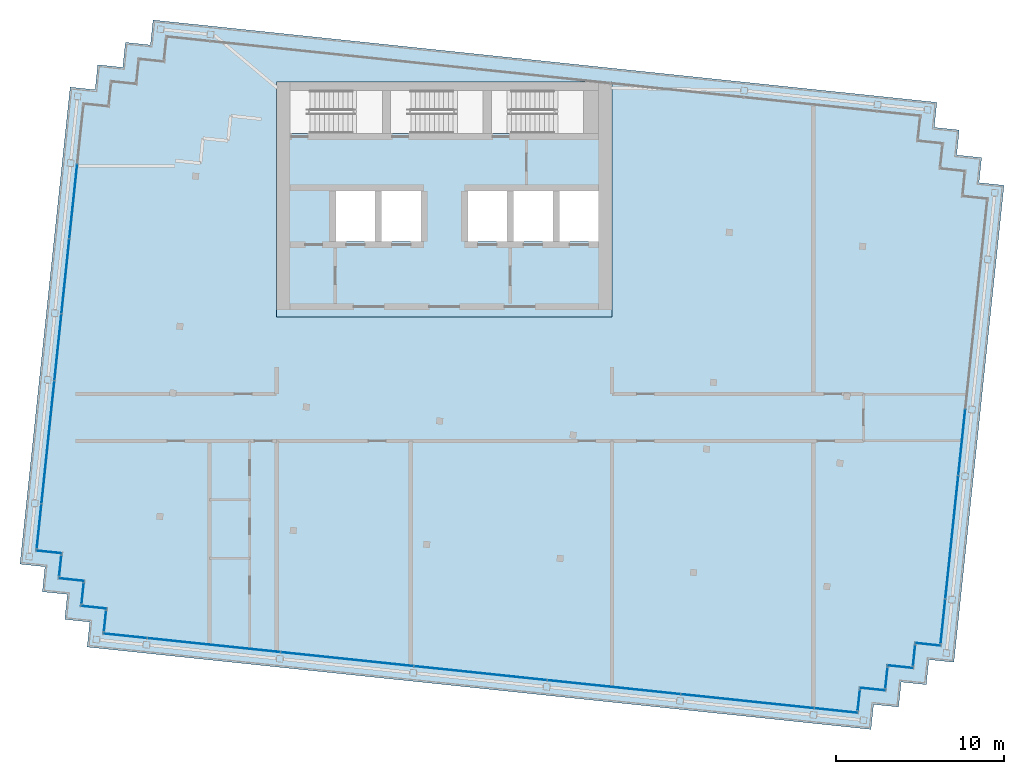
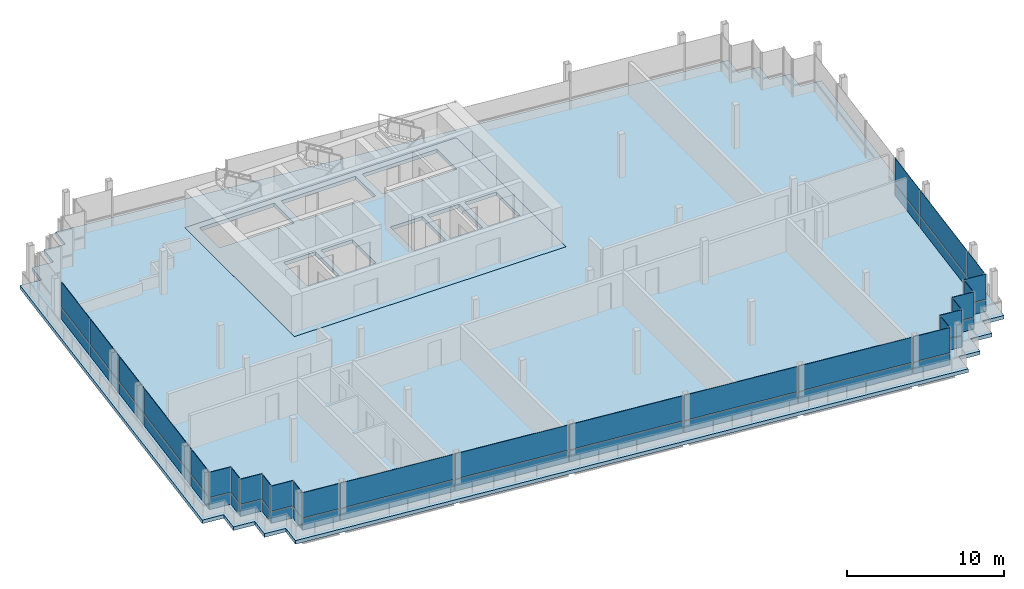
# One storey, part 9 of 15: 54 plates, 2 slabs, 15 elements without a shape of their own.
"""IFC4 building model written with IfcOpenShell, lengths in metres."""

from ifc_helpers import new_model, si_unit, direction, frame, origin, origin_2d, place, context, subcontext, project, spatial, polyline, rectangle, outline, extrude, material, layer, layer_set, type_object, element, aggregate, save


model = new_model("IFC4")

# Units and contexts
model_context = context("Model", 3, precision=1e-05, world=origin(), true_north=direction((0.0, 1.0)))
body_context = subcontext(model_context, "Body", "Model", "MODEL_VIEW")
ifc_project = project(units=[si_unit("LENGTHUNIT", "METRE"), si_unit("AREAUNIT", "SQUARE_METRE"), si_unit("VOLUMEUNIT", "CUBIC_METRE"), si_unit("PLANEANGLEUNIT", "RADIAN"), si_unit("MASSUNIT", "GRAM", prefix="KILO")], contexts=[model_context])

# Site, building, storey
site_placement = place(None, origin())
site = spatial("IfcSite", under=ifc_project, at=site_placement, CompositionType="ELEMENT")
building_placement = place(site_placement, origin())
building = spatial("IfcBuilding", under=site, at=building_placement, Name="Vidyagriha Tower", CompositionType="ELEMENT")
storey_placement = place(building_placement, frame((0.0, 0.0, 298.300048828125)))
storey = spatial("IfcBuildingStorey", under=building, at=storey_placement, Name="L77", CompositionType="ELEMENT", Elevation=298.300048828125)

# Curtain wall, plates
ifc_material_1 = material(Name="Aluminium and glass curtain wall", Category="aluminium")
curtain_wall_type = type_object("IfcCurtainWallType", Name="Lantern glazing wall", PredefinedType="USERDEFINED", material=ifc_material_1)
curtain_wall_1_placement = place(storey_placement, origin())
curtain_wall_1 = element("IfcCurtainWall", 1, at=curtain_wall_1_placement, inside=storey, type_object=curtain_wall_type, Name="CW4 lantern glazing", ObjectType="STICK GLAZING", PredefinedType="USERDEFINED")
ifc_material_2 = material(Name="Glass clear low-iron", Category="glass")
ifc_layer_1 = layer(ifc_material_2, 0.031982421875)
ifc_layer_set_1 = layer_set([ifc_layer_1], Name="Glass clear low-iron")
plate_type = type_object("IfcPlateType", Name="Clear lantern glass panel", PredefinedType="CURTAIN_PANEL", material=ifc_layer_set_1)
plate_1_placement = place(storey_placement, frame((-22.12744140625, 12.894287109375, 0.0), z_axis=(0.0, 0.0, 1.0), x_axis=(-0.104527289697, -0.994522018715, 0.0)))
plate_1 = element("IfcPlate", 2, at=plate_1_placement, type_object=plate_type, Name="CW4 panel 2.1", PredefinedType="CURTAIN_PANEL", context=body_context, shape_type="SweptSolid", body=[
    extrude(rectangle(XDim=4.440185546875, YDim=0.031982421875, at=origin_2d()), origin(), (0.0, 0.0, 1.0), 0.860107421875),
])
plate_2_placement = place(storey_placement, frame((-22.12744140625, 12.894287109375, 0.93994140625), z_axis=(0.0, 0.0, 1.0), x_axis=(-0.104527289697, -0.994522018715, 0.0)))
plate_2 = element("IfcPlate", 3, at=plate_2_placement, type_object=plate_type, Name="CW4 panel 2.2", PredefinedType="CURTAIN_PANEL", context=body_context, shape_type="SweptSolid", body=[
    extrude(rectangle(XDim=4.440185546875, YDim=0.031982421875, at=origin_2d()), origin(), (0.0, 0.0, 1.0), 1.9599609375),
])
plate_3_placement = place(storey_placement, frame((-22.597900390625, 8.4189453125, 0.0), z_axis=(0.0, 0.0, 1.0), x_axis=(-0.104527289697, -0.994522018715, 0.0)))
plate_3 = element("IfcPlate", 4, at=plate_3_placement, type_object=plate_type, Name="CW4 panel 3.1", PredefinedType="CURTAIN_PANEL", context=body_context, shape_type="SweptSolid", body=[
    extrude(rectangle(XDim=4.43994140625, YDim=0.031982421875, at=origin_2d()), origin(), (0.0, 0.0, 1.0), 0.860107421875),
])
plate_4_placement = place(storey_placement, frame((-22.597900390625, 8.4189453125, 0.93994140625), z_axis=(0.0, 0.0, 1.0), x_axis=(-0.104527289697, -0.994522018715, 0.0)))
plate_4 = element("IfcPlate", 5, at=plate_4_placement, type_object=plate_type, Name="CW4 panel 3.2", PredefinedType="CURTAIN_PANEL", context=body_context, shape_type="SweptSolid", body=[
    extrude(rectangle(XDim=4.43994140625, YDim=0.031982421875, at=origin_2d()), origin(), (0.0, 0.0, 1.0), 1.9599609375),
])
plate_5_placement = place(storey_placement, frame((-23.0419921875, 4.192138671875, 0.0), z_axis=(0.0, 0.0, 1.0), x_axis=(-0.104527289697, -0.994522018715, 0.0)))
plate_5 = element("IfcPlate", 6, at=plate_5_placement, type_object=plate_type, Name="CW4 panel 4.1", PredefinedType="CURTAIN_PANEL", context=body_context, shape_type="SweptSolid", body=[
    extrude(rectangle(XDim=3.93994140625, YDim=0.031982421875, at=origin_2d()), origin(), (0.0, 0.0, 1.0), 0.860107421875),
])
plate_6_placement = place(storey_placement, frame((-23.0419921875, 4.192138671875, 0.93994140625), z_axis=(0.0, 0.0, 1.0), x_axis=(-0.104527289697, -0.994522018715, 0.0)))
plate_6 = element("IfcPlate", 7, at=plate_6_placement, type_object=plate_type, Name="CW4 panel 4.2", PredefinedType="CURTAIN_PANEL", context=body_context, shape_type="SweptSolid", body=[
    extrude(rectangle(XDim=3.93994140625, YDim=0.031982421875, at=origin_2d()), origin(), (0.0, 0.0, 1.0), 1.9599609375),
])
plate_7_placement = place(storey_placement, frame((-23.637939453125, -1.4765625, 0.0), z_axis=(0.0, 0.0, 1.0), x_axis=(-0.104527289697, -0.994522018715, 0.0)))
plate_7 = element("IfcPlate", 8, at=plate_7_placement, type_object=plate_type, Name="CW4 panel 5.1", PredefinedType="CURTAIN_PANEL", context=body_context, shape_type="SweptSolid", body=[
    extrude(rectangle(XDim=7.340087890625, YDim=0.031982421875, at=origin_2d()), origin(), (0.0, 0.0, 1.0), 0.860107421875),
])
plate_8_placement = place(storey_placement, frame((-23.637939453125, -1.4765625, 0.93994140625), z_axis=(0.0, 0.0, 1.0), x_axis=(-0.104527289697, -0.994522018715, 0.0)))
plate_8 = element("IfcPlate", 9, at=plate_8_placement, type_object=plate_type, Name="CW4 panel 5.2", PredefinedType="CURTAIN_PANEL", context=body_context, shape_type="SweptSolid", body=[
    extrude(rectangle(XDim=7.340087890625, YDim=0.031982421875, at=origin_2d()), origin(), (0.0, 0.0, 1.0), 1.9599609375),
])
plate_9_placement = place(storey_placement, frame((-24.165283203125, -6.493896484375, 0.0), z_axis=(0.0, 0.0, 1.0), x_axis=(-0.104527289697, -0.994522018715, 0.0)))
plate_9 = element("IfcPlate", 10, at=plate_9_placement, type_object=plate_type, Name="CW4 panel 6.1", PredefinedType="CURTAIN_PANEL", context=body_context, shape_type="SweptSolid", body=[
    extrude(rectangle(XDim=2.6298828125, YDim=0.031982421875, at=origin_2d()), origin(), (0.0, 0.0, 1.0), 0.860107421875),
])
plate_10_placement = place(storey_placement, frame((-24.165283203125, -6.493896484375, 0.93994140625), z_axis=(0.0, 0.0, 1.0), x_axis=(-0.104527289697, -0.994522018715, 0.0)))
plate_10 = element("IfcPlate", 11, at=plate_10_placement, type_object=plate_type, Name="CW4 panel 6.2", PredefinedType="CURTAIN_PANEL", context=body_context, shape_type="SweptSolid", body=[
    extrude(rectangle(XDim=2.6298828125, YDim=0.031982421875, at=origin_2d()), origin(), (0.0, 0.0, 1.0), 1.9599609375),
])
aggregate(curtain_wall_1, [plate_1, plate_2, plate_3, plate_4, plate_5, plate_6, plate_7, plate_8, plate_9, plate_10])

curtain_wall_2_placement = place(storey_placement, origin())
curtain_wall_2 = element("IfcCurtainWall", 12, at=curtain_wall_2_placement, inside=storey, type_object=curtain_wall_type, Name="CW4 lantern glazing", ObjectType="STICK GLAZING", PredefinedType="USERDEFINED")
plate_11_placement = place(storey_placement, frame((-23.5712890625, -8.019287109375, 0.0), z_axis=(0.0, 0.0, 1.0), x_axis=(0.994522933756, -0.104518583201, 0.0)))
plate_11 = element("IfcPlate", 13, at=plate_11_placement, type_object=plate_type, Name="CW4 panel 1.1", PredefinedType="CURTAIN_PANEL", context=body_context, shape_type="SweptSolid", body=[
    extrude(rectangle(XDim=1.5400390625, YDim=0.031982421875, at=origin_2d()), origin(), (0.0, 0.0, 1.0), 0.860107421875),
])
plate_12_placement = place(storey_placement, frame((-23.5712890625, -8.019287109375, 0.93994140625), z_axis=(0.0, 0.0, 1.0), x_axis=(0.994522933756, -0.104518583201, 0.0)))
plate_12 = element("IfcPlate", 14, at=plate_12_placement, type_object=plate_type, Name="CW4 panel 1.2", PredefinedType="CURTAIN_PANEL", context=body_context, shape_type="SweptSolid", body=[
    extrude(rectangle(XDim=1.5400390625, YDim=0.031982421875, at=origin_2d()), origin(), (0.0, 0.0, 1.0), 1.9599609375),
])
aggregate(curtain_wall_2, [plate_11, plate_12])

curtain_wall_3_placement = place(storey_placement, origin())
curtain_wall_3 = element("IfcCurtainWall", 15, at=curtain_wall_3_placement, inside=storey, type_object=curtain_wall_type, Name="CW4 lantern glazing", ObjectType="STICK GLAZING", PredefinedType="USERDEFINED")
plate_13_placement = place(storey_placement, frame((-22.90380859375, -8.843505859375, 0.0), z_axis=(0.0, 0.0, 1.0), x_axis=(-0.104556583677, -0.994518939392, 0.0)))
plate_13 = element("IfcPlate", 16, at=plate_13_placement, type_object=plate_type, Name="CW4 panel 1.1", PredefinedType="CURTAIN_PANEL", context=body_context, shape_type="SweptSolid", body=[
    extrude(rectangle(XDim=1.219970703125, YDim=0.031982421875, at=origin_2d()), origin(), (0.0, 0.0, 1.0), 0.860107421875),
])
plate_14_placement = place(storey_placement, frame((-22.90380859375, -8.843505859375, 0.93994140625), z_axis=(0.0, 0.0, 1.0), x_axis=(-0.104556583677, -0.994518939392, 0.0)))
plate_14 = element("IfcPlate", 17, at=plate_14_placement, type_object=plate_type, Name="CW4 panel 1.2", PredefinedType="CURTAIN_PANEL", context=body_context, shape_type="SweptSolid", body=[
    extrude(rectangle(XDim=1.219970703125, YDim=0.031982421875, at=origin_2d()), origin(), (0.0, 0.0, 1.0), 1.9599609375),
])
aggregate(curtain_wall_3, [plate_13, plate_14])

curtain_wall_4_placement = place(storey_placement, origin())
curtain_wall_4 = element("IfcCurtainWall", 18, at=curtain_wall_4_placement, inside=storey, type_object=curtain_wall_type, Name="CW4 lantern glazing", ObjectType="STICK GLAZING", PredefinedType="USERDEFINED")
plate_15_placement = place(storey_placement, frame((-22.236572265625, -9.667724609375, 0.0), z_axis=(0.0, 0.0, 1.0), x_axis=(0.994529193856, -0.104458999463, 0.0)))
plate_15 = element("IfcPlate", 19, at=plate_15_placement, type_object=plate_type, Name="CW4 panel 1.1", PredefinedType="CURTAIN_PANEL", context=body_context, shape_type="SweptSolid", body=[
    extrude(rectangle(XDim=1.5400390625, YDim=0.031982421875, at=origin_2d()), origin(), (0.0, 0.0, 1.0), 0.860107421875),
])
plate_16_placement = place(storey_placement, frame((-22.236572265625, -9.667724609375, 0.93994140625), z_axis=(0.0, 0.0, 1.0), x_axis=(0.994529193856, -0.104458999463, 0.0)))
plate_16 = element("IfcPlate", 20, at=plate_16_placement, type_object=plate_type, Name="CW4 panel 1.2", PredefinedType="CURTAIN_PANEL", context=body_context, shape_type="SweptSolid", body=[
    extrude(rectangle(XDim=1.5400390625, YDim=0.031982421875, at=origin_2d()), origin(), (0.0, 0.0, 1.0), 1.9599609375),
])
aggregate(curtain_wall_4, [plate_15, plate_16])

curtain_wall_5_placement = place(storey_placement, origin())
curtain_wall_5 = element("IfcCurtainWall", 21, at=curtain_wall_5_placement, inside=storey, type_object=curtain_wall_type, Name="CW4 lantern glazing", ObjectType="STICK GLAZING", PredefinedType="USERDEFINED")
plate_17_placement = place(storey_placement, frame((-21.569091796875, -10.4921875, 0.0), z_axis=(0.0, 0.0, 1.0), x_axis=(-0.104548823962, -0.994519755162, 0.0)))
plate_17 = element("IfcPlate", 22, at=plate_17_placement, type_object=plate_type, Name="CW4 panel 1.1", PredefinedType="CURTAIN_PANEL", context=body_context, shape_type="SweptSolid", body=[
    extrude(rectangle(XDim=1.219970703125, YDim=0.031982421875, at=origin_2d()), origin(), (0.0, 0.0, 1.0), 0.860107421875),
])
plate_18_placement = place(storey_placement, frame((-21.569091796875, -10.4921875, 0.93994140625), z_axis=(0.0, 0.0, 1.0), x_axis=(-0.104548823962, -0.994519755162, 0.0)))
plate_18 = element("IfcPlate", 23, at=plate_18_placement, type_object=plate_type, Name="CW4 panel 1.2", PredefinedType="CURTAIN_PANEL", context=body_context, shape_type="SweptSolid", body=[
    extrude(rectangle(XDim=1.219970703125, YDim=0.031982421875, at=origin_2d()), origin(), (0.0, 0.0, 1.0), 1.9599609375),
])
aggregate(curtain_wall_5, [plate_17, plate_18])

curtain_wall_6_placement = place(storey_placement, origin())
curtain_wall_6 = element("IfcCurtainWall", 24, at=curtain_wall_6_placement, inside=storey, type_object=curtain_wall_type, Name="CW4 lantern glazing", ObjectType="STICK GLAZING", PredefinedType="USERDEFINED")
plate_19_placement = place(storey_placement, frame((-20.901611328125, -11.31640625, 0.0), z_axis=(0.0, 0.0, 1.0), x_axis=(0.994522933756, -0.104518583201, 0.0)))
plate_19 = element("IfcPlate", 25, at=plate_19_placement, type_object=plate_type, Name="CW4 panel 1.1", PredefinedType="CURTAIN_PANEL", context=body_context, shape_type="SweptSolid", body=[
    extrude(rectangle(XDim=1.5400390625, YDim=0.031982421875, at=origin_2d()), origin(), (0.0, 0.0, 1.0), 0.860107421875),
])
plate_20_placement = place(storey_placement, frame((-20.901611328125, -11.31640625, 0.93994140625), z_axis=(0.0, 0.0, 1.0), x_axis=(0.994522933756, -0.104518583201, 0.0)))
plate_20 = element("IfcPlate", 26, at=plate_20_placement, type_object=plate_type, Name="CW4 panel 1.2", PredefinedType="CURTAIN_PANEL", context=body_context, shape_type="SweptSolid", body=[
    extrude(rectangle(XDim=1.5400390625, YDim=0.031982421875, at=origin_2d()), origin(), (0.0, 0.0, 1.0), 1.9599609375),
])
aggregate(curtain_wall_6, [plate_19, plate_20])

curtain_wall_7_placement = place(storey_placement, origin())
curtain_wall_7 = element("IfcCurtainWall", 27, at=curtain_wall_7_placement, inside=storey, type_object=curtain_wall_type, Name="CW4 lantern glazing", ObjectType="STICK GLAZING", PredefinedType="USERDEFINED")
plate_21_placement = place(storey_placement, frame((-20.23388671875, -12.140625, 0.0), z_axis=(0.0, 0.0, 1.0), x_axis=(-0.104556583677, -0.994518939392, 0.0)))
plate_21 = element("IfcPlate", 28, at=plate_21_placement, type_object=plate_type, Name="CW4 panel 1.1", PredefinedType="CURTAIN_PANEL", context=body_context, shape_type="SweptSolid", body=[
    extrude(rectangle(XDim=1.219970703125, YDim=0.031982421875, at=origin_2d()), origin(), (0.0, 0.0, 1.0), 0.860107421875),
])
plate_22_placement = place(storey_placement, frame((-20.23388671875, -12.140625, 0.93994140625), z_axis=(0.0, 0.0, 1.0), x_axis=(-0.104556583677, -0.994518939392, 0.0)))
plate_22 = element("IfcPlate", 29, at=plate_22_placement, type_object=plate_type, Name="CW4 panel 1.2", PredefinedType="CURTAIN_PANEL", context=body_context, shape_type="SweptSolid", body=[
    extrude(rectangle(XDim=1.219970703125, YDim=0.031982421875, at=origin_2d()), origin(), (0.0, 0.0, 1.0), 1.9599609375),
])
aggregate(curtain_wall_7, [plate_21, plate_22])

curtain_wall_8_placement = place(storey_placement, origin())
curtain_wall_8 = element("IfcCurtainWall", 30, at=curtain_wall_8_placement, inside=storey, type_object=curtain_wall_type, Name="CW4 lantern glazing", ObjectType="STICK GLAZING", PredefinedType="USERDEFINED")
plate_23_placement = place(storey_placement, frame((-19.044189453125, -13.019775390625, 0.0), z_axis=(0.0, 0.0, 1.0), x_axis=(0.99452191762, -0.104528251556, 0.0)))
plate_23 = element("IfcPlate", 31, at=plate_23_placement, type_object=plate_type, Name="CW4 panel 1.1", PredefinedType="CURTAIN_PANEL", context=body_context, shape_type="SweptSolid", body=[
    extrude(rectangle(XDim=2.590087890625, YDim=0.031982421875, at=origin_2d()), origin(), (0.0, 0.0, 1.0), 0.860107421875),
])
plate_24_placement = place(storey_placement, frame((-19.044189453125, -13.019775390625, 0.93994140625), z_axis=(0.0, 0.0, 1.0), x_axis=(0.99452191762, -0.104528251556, 0.0)))
plate_24 = element("IfcPlate", 32, at=plate_24_placement, type_object=plate_type, Name="CW4 panel 1.2", PredefinedType="CURTAIN_PANEL", context=body_context, shape_type="SweptSolid", body=[
    extrude(rectangle(XDim=2.590087890625, YDim=0.031982421875, at=origin_2d()), origin(), (0.0, 0.0, 1.0), 1.9599609375),
])
plate_25_placement = place(storey_placement, frame((-13.74853515625, -13.576416015625, 0.0), z_axis=(0.0, 0.0, 1.0), x_axis=(0.99452191762, -0.104528251556, 0.0)))
plate_25 = element("IfcPlate", 33, at=plate_25_placement, type_object=plate_type, Name="CW4 panel 2.1", PredefinedType="CURTAIN_PANEL", context=body_context, shape_type="SweptSolid", body=[
    extrude(rectangle(XDim=7.93994140625, YDim=0.031982421875, at=origin_2d()), origin(), (0.0, 0.0, 1.0), 0.860107421875),
])
plate_26_placement = place(storey_placement, frame((-13.74853515625, -13.576416015625, 0.93994140625), z_axis=(0.0, 0.0, 1.0), x_axis=(0.99452191762, -0.104528251556, 0.0)))
plate_26 = element("IfcPlate", 34, at=plate_26_placement, type_object=plate_type, Name="CW4 panel 2.2", PredefinedType="CURTAIN_PANEL", context=body_context, shape_type="SweptSolid", body=[
    extrude(rectangle(XDim=7.93994140625, YDim=0.031982421875, at=origin_2d()), origin(), (0.0, 0.0, 1.0), 1.9599609375),
])
plate_27_placement = place(storey_placement, frame((-5.792236328125, -14.41259765625, 0.0), z_axis=(0.0, 0.0, 1.0), x_axis=(0.99452191762, -0.104528251556, 0.0)))
plate_27 = element("IfcPlate", 35, at=plate_27_placement, type_object=plate_type, Name="CW4 panel 3.1", PredefinedType="CURTAIN_PANEL", context=body_context, shape_type="SweptSolid", body=[
    extrude(rectangle(XDim=7.93994140625, YDim=0.031982421875, at=origin_2d()), origin(), (0.0, 0.0, 1.0), 0.860107421875),
])
plate_28_placement = place(storey_placement, frame((-5.792236328125, -14.41259765625, 0.93994140625), z_axis=(0.0, 0.0, 1.0), x_axis=(0.99452191762, -0.104528251556, 0.0)))
plate_28 = element("IfcPlate", 36, at=plate_28_placement, type_object=plate_type, Name="CW4 panel 3.2", PredefinedType="CURTAIN_PANEL", context=body_context, shape_type="SweptSolid", body=[
    extrude(rectangle(XDim=7.93994140625, YDim=0.031982421875, at=origin_2d()), origin(), (0.0, 0.0, 1.0), 1.9599609375),
])
plate_29_placement = place(storey_placement, frame((2.163818359375, -15.248779296875, 0.0), z_axis=(0.0, 0.0, 1.0), x_axis=(0.99452191762, -0.104528251556, 0.0)))
plate_29 = element("IfcPlate", 37, at=plate_29_placement, type_object=plate_type, Name="CW4 panel 4.1", PredefinedType="CURTAIN_PANEL", context=body_context, shape_type="SweptSolid", body=[
    extrude(rectangle(XDim=7.93994140625, YDim=0.031982421875, at=origin_2d()), origin(), (0.0, 0.0, 1.0), 0.860107421875),
])
plate_30_placement = place(storey_placement, frame((2.163818359375, -15.248779296875, 0.93994140625), z_axis=(0.0, 0.0, 1.0), x_axis=(0.99452191762, -0.104528251556, 0.0)))
plate_30 = element("IfcPlate", 38, at=plate_30_placement, type_object=plate_type, Name="CW4 panel 4.2", PredefinedType="CURTAIN_PANEL", context=body_context, shape_type="SweptSolid", body=[
    extrude(rectangle(XDim=7.93994140625, YDim=0.031982421875, at=origin_2d()), origin(), (0.0, 0.0, 1.0), 1.9599609375),
])
plate_31_placement = place(storey_placement, frame((10.1201171875, -16.085205078125, 0.0), z_axis=(0.0, 0.0, 1.0), x_axis=(0.99452191762, -0.104528251556, 0.0)))
plate_31 = element("IfcPlate", 39, at=plate_31_placement, type_object=plate_type, Name="CW4 panel 5.1", PredefinedType="CURTAIN_PANEL", context=body_context, shape_type="SweptSolid", body=[
    extrude(rectangle(XDim=7.93994140625, YDim=0.031982421875, at=origin_2d()), origin(), (0.0, 0.0, 1.0), 0.860107421875),
])
plate_32_placement = place(storey_placement, frame((10.1201171875, -16.085205078125, 0.93994140625), z_axis=(0.0, 0.0, 1.0), x_axis=(0.99452191762, -0.104528251556, 0.0)))
plate_32 = element("IfcPlate", 40, at=plate_32_placement, type_object=plate_type, Name="CW4 panel 5.2", PredefinedType="CURTAIN_PANEL", context=body_context, shape_type="SweptSolid", body=[
    extrude(rectangle(XDim=7.93994140625, YDim=0.031982421875, at=origin_2d()), origin(), (0.0, 0.0, 1.0), 1.9599609375),
])
plate_33_placement = place(storey_placement, frame((18.076171875, -16.92138671875, 0.0), z_axis=(0.0, 0.0, 1.0), x_axis=(0.99452191762, -0.104528251556, 0.0)))
plate_33 = element("IfcPlate", 41, at=plate_33_placement, type_object=plate_type, Name="CW4 panel 6.1", PredefinedType="CURTAIN_PANEL", context=body_context, shape_type="SweptSolid", body=[
    extrude(rectangle(XDim=7.93994140625, YDim=0.031982421875, at=origin_2d()), origin(), (0.0, 0.0, 1.0), 0.860107421875),
])
plate_34_placement = place(storey_placement, frame((18.076171875, -16.92138671875, 0.93994140625), z_axis=(0.0, 0.0, 1.0), x_axis=(0.99452191762, -0.104528251556, 0.0)))
plate_34 = element("IfcPlate", 42, at=plate_34_placement, type_object=plate_type, Name="CW4 panel 6.2", PredefinedType="CURTAIN_PANEL", context=body_context, shape_type="SweptSolid", body=[
    extrude(rectangle(XDim=7.93994140625, YDim=0.031982421875, at=origin_2d()), origin(), (0.0, 0.0, 1.0), 1.9599609375),
])
plate_35_placement = place(storey_placement, frame((23.3720703125, -17.47802734375, 0.0), z_axis=(0.0, 0.0, 1.0), x_axis=(0.99452191762, -0.104528251556, 0.0)))
plate_35 = element("IfcPlate", 43, at=plate_35_placement, type_object=plate_type, Name="CW4 panel 7.1", PredefinedType="CURTAIN_PANEL", context=body_context, shape_type="SweptSolid", body=[
    extrude(rectangle(XDim=2.590087890625, YDim=0.031982421875, at=origin_2d()), origin(), (0.0, 0.0, 1.0), 0.860107421875),
])
plate_36_placement = place(storey_placement, frame((23.3720703125, -17.47802734375, 0.93994140625), z_axis=(0.0, 0.0, 1.0), x_axis=(0.99452191762, -0.104528251556, 0.0)))
plate_36 = element("IfcPlate", 44, at=plate_36_placement, type_object=plate_type, Name="CW4 panel 7.2", PredefinedType="CURTAIN_PANEL", context=body_context, shape_type="SweptSolid", body=[
    extrude(rectangle(XDim=2.590087890625, YDim=0.031982421875, at=origin_2d()), origin(), (0.0, 0.0, 1.0), 1.9599609375),
])
aggregate(curtain_wall_8, [plate_23, plate_24, plate_25, plate_26, plate_27, plate_28, plate_29, plate_30, plate_31, plate_32, plate_33, plate_34, plate_35, plate_36])

curtain_wall_9_placement = place(storey_placement, origin())
curtain_wall_9 = element("IfcCurtainWall", 45, at=curtain_wall_9_placement, inside=storey, type_object=curtain_wall_type, Name="CW4 lantern glazing", ObjectType="STICK GLAZING", PredefinedType="USERDEFINED")
plate_37_placement = place(storey_placement, frame((24.718505859375, -16.865478515625, 0.0), z_axis=(0.0, 0.0, 1.0), x_axis=(0.104556583677, 0.994518939392, 0.0)))
plate_37 = element("IfcPlate", 46, at=plate_37_placement, type_object=plate_type, Name="CW4 panel 1.1", PredefinedType="CURTAIN_PANEL", context=body_context, shape_type="SweptSolid", body=[
    extrude(rectangle(XDim=1.219970703125, YDim=0.031982421875, at=origin_2d()), origin(), (0.0, 0.0, 1.0), 0.860107421875),
])
plate_38_placement = place(storey_placement, frame((24.718505859375, -16.865478515625, 0.93994140625), z_axis=(0.0, 0.0, 1.0), x_axis=(0.104556583677, 0.994518939392, 0.0)))
plate_38 = element("IfcPlate", 47, at=plate_38_placement, type_object=plate_type, Name="CW4 panel 1.2", PredefinedType="CURTAIN_PANEL", context=body_context, shape_type="SweptSolid", body=[
    extrude(rectangle(XDim=1.219970703125, YDim=0.031982421875, at=origin_2d()), origin(), (0.0, 0.0, 1.0), 1.9599609375),
])
aggregate(curtain_wall_9, [plate_37, plate_38])

curtain_wall_10_placement = place(storey_placement, origin())
curtain_wall_10 = element("IfcCurtainWall", 48, at=curtain_wall_10_placement, inside=storey, type_object=curtain_wall_type, Name="CW4 lantern glazing", ObjectType="STICK GLAZING", PredefinedType="USERDEFINED")
plate_39_placement = place(storey_placement, frame((25.542724609375, -16.197998046875, 0.0), z_axis=(0.0, 0.0, 1.0), x_axis=(0.994522933756, -0.104518583201, 0.0)))
plate_39 = element("IfcPlate", 49, at=plate_39_placement, type_object=plate_type, Name="CW4 panel 1.1", PredefinedType="CURTAIN_PANEL", context=body_context, shape_type="SweptSolid", body=[
    extrude(rectangle(XDim=1.5400390625, YDim=0.031982421875, at=origin_2d()), origin(), (0.0, 0.0, 1.0), 0.860107421875),
])
plate_40_placement = place(storey_placement, frame((25.542724609375, -16.197998046875, 0.93994140625), z_axis=(0.0, 0.0, 1.0), x_axis=(0.994522933756, -0.104518583201, 0.0)))
plate_40 = element("IfcPlate", 50, at=plate_40_placement, type_object=plate_type, Name="CW4 panel 1.2", PredefinedType="CURTAIN_PANEL", context=body_context, shape_type="SweptSolid", body=[
    extrude(rectangle(XDim=1.5400390625, YDim=0.031982421875, at=origin_2d()), origin(), (0.0, 0.0, 1.0), 1.9599609375),
])
aggregate(curtain_wall_10, [plate_39, plate_40])

curtain_wall_11_placement = place(storey_placement, origin())
curtain_wall_11 = element("IfcCurtainWall", 51, at=curtain_wall_11_placement, inside=storey, type_object=curtain_wall_type, Name="CW4 lantern glazing", ObjectType="STICK GLAZING", PredefinedType="USERDEFINED")
plate_41_placement = place(storey_placement, frame((26.366943359375, -15.530517578125, 0.0), z_axis=(0.0, 0.0, 1.0), x_axis=(0.104548823962, 0.994519755162, 0.0)))
plate_41 = element("IfcPlate", 52, at=plate_41_placement, type_object=plate_type, Name="CW4 panel 1.1", PredefinedType="CURTAIN_PANEL", context=body_context, shape_type="SweptSolid", body=[
    extrude(rectangle(XDim=1.219970703125, YDim=0.031982421875, at=origin_2d()), origin(), (0.0, 0.0, 1.0), 0.860107421875),
])
plate_42_placement = place(storey_placement, frame((26.366943359375, -15.530517578125, 0.93994140625), z_axis=(0.0, 0.0, 1.0), x_axis=(0.104548823962, 0.994519755162, 0.0)))
plate_42 = element("IfcPlate", 53, at=plate_42_placement, type_object=plate_type, Name="CW4 panel 1.2", PredefinedType="CURTAIN_PANEL", context=body_context, shape_type="SweptSolid", body=[
    extrude(rectangle(XDim=1.219970703125, YDim=0.031982421875, at=origin_2d()), origin(), (0.0, 0.0, 1.0), 1.9599609375),
])
aggregate(curtain_wall_11, [plate_41, plate_42])

curtain_wall_12_placement = place(storey_placement, origin())
curtain_wall_12 = element("IfcCurtainWall", 54, at=curtain_wall_12_placement, inside=storey, type_object=curtain_wall_type, Name="CW4 lantern glazing", ObjectType="STICK GLAZING", PredefinedType="USERDEFINED")
plate_43_placement = place(storey_placement, frame((27.19140625, -14.86279296875, 0.0), z_axis=(0.0, 0.0, 1.0), x_axis=(0.994522933756, -0.104518583201, 0.0)))
plate_43 = element("IfcPlate", 55, at=plate_43_placement, type_object=plate_type, Name="CW4 panel 1.1", PredefinedType="CURTAIN_PANEL", context=body_context, shape_type="SweptSolid", body=[
    extrude(rectangle(XDim=1.5400390625, YDim=0.031982421875, at=origin_2d()), origin(), (0.0, 0.0, 1.0), 0.860107421875),
])
plate_44_placement = place(storey_placement, frame((27.19140625, -14.86279296875, 0.93994140625), z_axis=(0.0, 0.0, 1.0), x_axis=(0.994522933756, -0.104518583201, 0.0)))
plate_44 = element("IfcPlate", 56, at=plate_44_placement, type_object=plate_type, Name="CW4 panel 1.2", PredefinedType="CURTAIN_PANEL", context=body_context, shape_type="SweptSolid", body=[
    extrude(rectangle(XDim=1.5400390625, YDim=0.031982421875, at=origin_2d()), origin(), (0.0, 0.0, 1.0), 1.9599609375),
])
aggregate(curtain_wall_12, [plate_43, plate_44])

curtain_wall_13_placement = place(storey_placement, origin())
curtain_wall_13 = element("IfcCurtainWall", 57, at=curtain_wall_13_placement, inside=storey, type_object=curtain_wall_type, Name="CW4 lantern glazing", ObjectType="STICK GLAZING", PredefinedType="USERDEFINED")
plate_45_placement = place(storey_placement, frame((28.015625, -14.1953125, 0.0), z_axis=(0.0, 0.0, 1.0), x_axis=(0.104548823962, 0.994519755162, 0.0)))
plate_45 = element("IfcPlate", 58, at=plate_45_placement, type_object=plate_type, Name="CW4 panel 1.1", PredefinedType="CURTAIN_PANEL", context=body_context, shape_type="SweptSolid", body=[
    extrude(rectangle(XDim=1.219970703125, YDim=0.031982421875, at=origin_2d()), origin(), (0.0, 0.0, 1.0), 0.860107421875),
])
plate_46_placement = place(storey_placement, frame((28.015625, -14.1953125, 0.93994140625), z_axis=(0.0, 0.0, 1.0), x_axis=(0.104548823962, 0.994519755162, 0.0)))
plate_46 = element("IfcPlate", 59, at=plate_46_placement, type_object=plate_type, Name="CW4 panel 1.2", PredefinedType="CURTAIN_PANEL", context=body_context, shape_type="SweptSolid", body=[
    extrude(rectangle(XDim=1.219970703125, YDim=0.031982421875, at=origin_2d()), origin(), (0.0, 0.0, 1.0), 1.9599609375),
])
aggregate(curtain_wall_13, [plate_45, plate_46])

curtain_wall_14_placement = place(storey_placement, origin())
curtain_wall_14 = element("IfcCurtainWall", 60, at=curtain_wall_14_placement, inside=storey, type_object=curtain_wall_type, Name="CW4 lantern glazing", ObjectType="STICK GLAZING", PredefinedType="USERDEFINED")
plate_47_placement = place(storey_placement, frame((28.83984375, -13.528076171875, 0.0), z_axis=(0.0, 0.0, 1.0), x_axis=(0.994523591781, -0.104512321721, 0.0)))
plate_47 = element("IfcPlate", 61, at=plate_47_placement, type_object=plate_type, Name="CW4 panel 1.1", PredefinedType="CURTAIN_PANEL", context=body_context, shape_type="SweptSolid", body=[
    extrude(rectangle(XDim=1.5400390625, YDim=0.031982421875, at=origin_2d()), origin(), (0.0, 0.0, 1.0), 0.860107421875),
])
plate_48_placement = place(storey_placement, frame((28.83984375, -13.528076171875, 0.93994140625), z_axis=(0.0, 0.0, 1.0), x_axis=(0.994523591781, -0.104512321721, 0.0)))
plate_48 = element("IfcPlate", 62, at=plate_48_placement, type_object=plate_type, Name="CW4 panel 1.2", PredefinedType="CURTAIN_PANEL", context=body_context, shape_type="SweptSolid", body=[
    extrude(rectangle(XDim=1.5400390625, YDim=0.031982421875, at=origin_2d()), origin(), (0.0, 0.0, 1.0), 1.9599609375),
])
aggregate(curtain_wall_14, [plate_47, plate_48])

curtain_wall_15_placement = place(storey_placement, origin())
curtain_wall_15 = element("IfcCurtainWall", 63, at=curtain_wall_15_placement, inside=storey, type_object=curtain_wall_type, Name="CW4 lantern glazing", ObjectType="STICK GLAZING", PredefinedType="USERDEFINED")
plate_49_placement = place(storey_placement, frame((29.73779296875, -12.1591796875, 0.0), z_axis=(0.0, 0.0, 1.0), x_axis=(0.104526899479, 0.994522059728, 0.0)))
plate_49 = element("IfcPlate", 64, at=plate_49_placement, type_object=plate_type, Name="CW4 panel 1.1", PredefinedType="CURTAIN_PANEL", context=body_context, shape_type="SweptSolid", body=[
    extrude(rectangle(XDim=2.6298828125, YDim=0.031982421875, at=origin_2d()), origin(), (0.0, 0.0, 1.0), 0.860107421875),
])
plate_50_placement = place(storey_placement, frame((29.73779296875, -12.1591796875, 0.93994140625), z_axis=(0.0, 0.0, 1.0), x_axis=(0.104526899479, 0.994522059728, 0.0)))
plate_50 = element("IfcPlate", 65, at=plate_50_placement, type_object=plate_type, Name="CW4 panel 1.2", PredefinedType="CURTAIN_PANEL", context=body_context, shape_type="SweptSolid", body=[
    extrude(rectangle(XDim=2.6298828125, YDim=0.031982421875, at=origin_2d()), origin(), (0.0, 0.0, 1.0), 1.9599609375),
])
plate_51_placement = place(storey_placement, frame((30.26513671875, -7.14208984375, 0.0), z_axis=(0.0, 0.0, 1.0), x_axis=(0.104526899479, 0.994522059728, 0.0)))
plate_51 = element("IfcPlate", 66, at=plate_51_placement, type_object=plate_type, Name="CW4 panel 2.1", PredefinedType="CURTAIN_PANEL", context=body_context, shape_type="SweptSolid", body=[
    extrude(rectangle(XDim=7.340087890625, YDim=0.031982421875, at=origin_2d()), origin(), (0.0, 0.0, 1.0), 0.860107421875),
])
plate_52_placement = place(storey_placement, frame((30.26513671875, -7.14208984375, 0.93994140625), z_axis=(0.0, 0.0, 1.0), x_axis=(0.104526899479, 0.994522059728, 0.0)))
plate_52 = element("IfcPlate", 67, at=plate_52_placement, type_object=plate_type, Name="CW4 panel 2.2", PredefinedType="CURTAIN_PANEL", context=body_context, shape_type="SweptSolid", body=[
    extrude(rectangle(XDim=7.340087890625, YDim=0.031982421875, at=origin_2d()), origin(), (0.0, 0.0, 1.0), 1.9599609375),
])
plate_53_placement = place(storey_placement, frame((30.861083984375, -1.47314453125, 0.0), z_axis=(0.0, 0.0, 1.0), x_axis=(0.104526899479, 0.994522059728, 0.0)))
plate_53 = element("IfcPlate", 68, at=plate_53_placement, type_object=plate_type, Name="CW4 panel 3.1", PredefinedType="CURTAIN_PANEL", context=body_context, shape_type="SweptSolid", body=[
    extrude(rectangle(XDim=3.93994140625, YDim=0.031982421875, at=origin_2d()), origin(), (0.0, 0.0, 1.0), 0.860107421875),
])
plate_54_placement = place(storey_placement, frame((30.861083984375, -1.47314453125, 0.93994140625), z_axis=(0.0, 0.0, 1.0), x_axis=(0.104526899479, 0.994522059728, 0.0)))
plate_54 = element("IfcPlate", 69, at=plate_54_placement, type_object=plate_type, Name="CW4 panel 3.2", PredefinedType="CURTAIN_PANEL", context=body_context, shape_type="SweptSolid", body=[
    extrude(rectangle(XDim=3.93994140625, YDim=0.031982421875, at=origin_2d()), origin(), (0.0, 0.0, 1.0), 1.9599609375),
])
aggregate(curtain_wall_15, [plate_49, plate_50, plate_51, plate_52, plate_53, plate_54])

# Slabs
ifc_material_3 = material(Name="Concrete C60/75", Category="concrete")
ifc_layer_2 = layer(ifc_material_3, 0.280029296875)
ifc_layer_set_2 = layer_set([ifc_layer_2], Name="Concrete C60/75")
slab_type_1 = type_object("IfcSlabType", Name="Core floor slab 280 mm", PredefinedType="FLOOR", material=ifc_layer_set_2)
slab_1_placement = place(storey_placement, frame((0.0, 0.0, -0.280029296875)))
element("IfcSlab", 70, at=slab_1_placement, inside=storey, type_object=slab_type_1, Name="L77 core floor 1", PredefinedType="FLOOR", context=body_context, shape_type="SweptSolid", body=[
    extrude(outline(polyline([(-10.0, 6.0), (-10.0, 20.0), (10.0, 20.0), (10.0, 6.0), (-10.0, 6.0)]), holes=[polyline([(6.86669921875, 13.5), (6.86669921875, 10.5), (9.199951171875, 10.5), (9.199951171875, 13.5), (6.86669921875, 13.5)]), polyline([(4.0, 19.5), (2.800048828125, 19.5), (2.800048828125, 16.949951171875), (4.0, 16.949951171875), (8.300048828125, 16.949951171875), (8.300048828125, 19.5), (4.0, 19.5)]), polyline([(6.466796875, 13.5), (4.13330078125, 13.5), (4.13330078125, 10.5), (6.466796875, 10.5), (6.466796875, 13.5)]), polyline([(3.7333984375, 13.5), (1.39990234375, 13.5), (1.39990234375, 10.5), (3.7333984375, 10.5), (3.7333984375, 13.5)]), polyline([(-2.0, 16.949951171875), (2.300048828125, 16.949951171875), (2.300048828125, 19.5), (-2.0, 19.5), (-3.199951171875, 19.5), (-3.199951171875, 16.949951171875), (-2.0, 16.949951171875)]), polyline([(-3.7333984375, 13.5), (-3.7333984375, 10.5), (-1.39990234375, 10.5), (-1.39990234375, 13.5), (-3.7333984375, 13.5)]), polyline([(-9.199951171875, 19.5), (-9.199951171875, 16.949951171875), (-8.0, 16.949951171875), (-3.699951171875, 16.949951171875), (-3.699951171875, 19.5), (-8.0, 19.5), (-9.199951171875, 19.5)]), polyline([(-6.466796875, 13.5), (-6.466796875, 10.5), (-4.13330078125, 10.5), (-4.13330078125, 13.5), (-6.466796875, 13.5)])]), origin(), (0.0, 0.0, 1.0), 0.280029296875),
])
ifc_material_4 = material(Name="Concrete C50/60", Category="concrete")
ifc_layer_3 = layer(ifc_material_4, 0.280029296875)
ifc_layer_set_3 = layer_set([ifc_layer_3], Name="Concrete C50/60")
slab_type_2 = type_object("IfcSlabType", Name="Post-tensioned flat plate 280", PredefinedType="FLOOR", material=ifc_layer_set_3)
slab_2_placement = place(storey_placement, frame((0.0, 0.0, -0.280029296875)))
element("IfcSlab", 71, at=slab_2_placement, inside=storey, type_object=slab_type_2, Name="st-slab-L77-1", PredefinedType="FLOOR", context=body_context, shape_type="SweptSolid", body=[
    extrude(outline(polyline([(28.89501953125, -14.438720703125), (28.738037109375, -15.930419921875), (27.246337890625, -15.773681640625), (27.089599609375, -17.265380859375), (25.597900390625, -17.108642578125), (25.44091796875, -18.600341796875), (-21.301513671875, -13.6875), (-21.144775390625, -12.19580078125), (-22.636474609375, -12.0390625), (-22.479736328125, -10.547119140625), (-23.971435546875, -10.390380859375), (-23.814697265625, -8.898681640625), (-25.306396484375, -8.741943359375), (-22.31689453125, 19.701416015625), (-20.8251953125, 19.544677734375), (-20.66845703125, 21.036376953125), (-19.176513671875, 20.879638671875), (-19.019775390625, 22.371337890625), (-17.528076171875, 22.214599609375), (-17.371337890625, 23.706298828125), (29.371337890625, 18.793701171875), (29.214599609375, 17.3017578125), (30.706298828125, 17.14501953125), (30.549560546875, 15.6533203125), (32.041259765625, 15.496337890625), (31.884521484375, 14.004638671875), (33.376220703125, 13.847900390625), (30.38671875, -14.595458984375), (28.89501953125, -14.438720703125)]), holes=[polyline([(10.0, 20.0), (-10.0, 20.0), (-10.0, 6.0), (10.0, 6.0), (10.0, 20.0)])]), origin(), (0.0, 0.0, 1.0), 0.280029296875),
])

save(model, "model.ifc")
